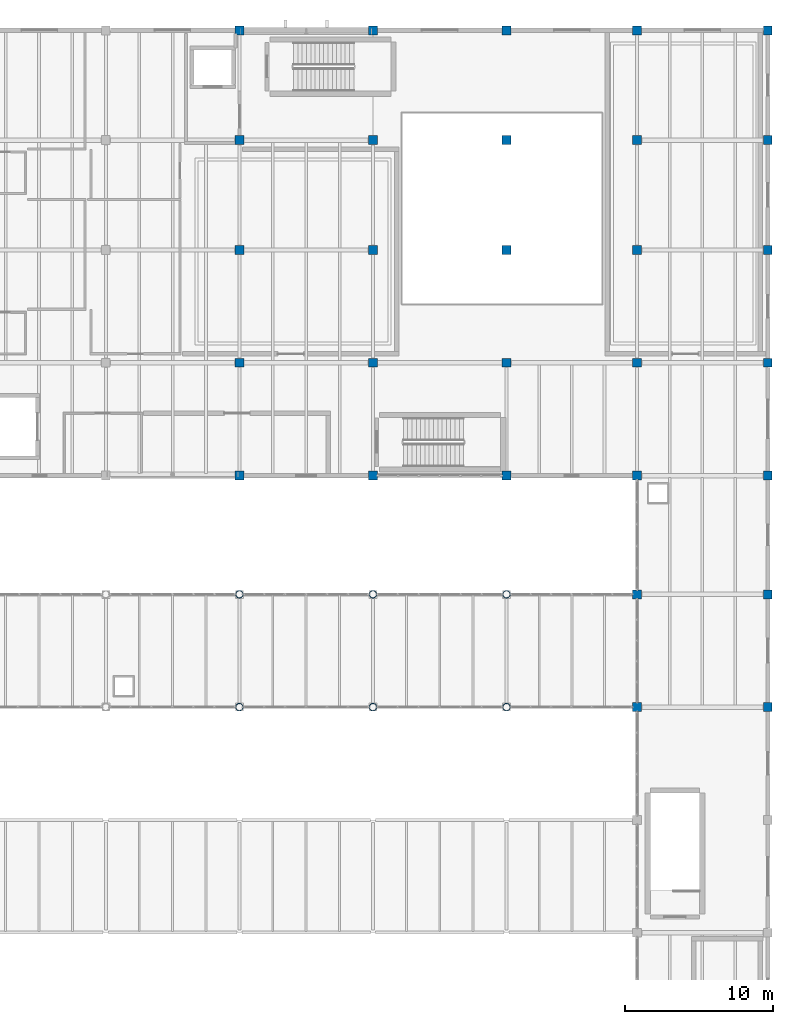
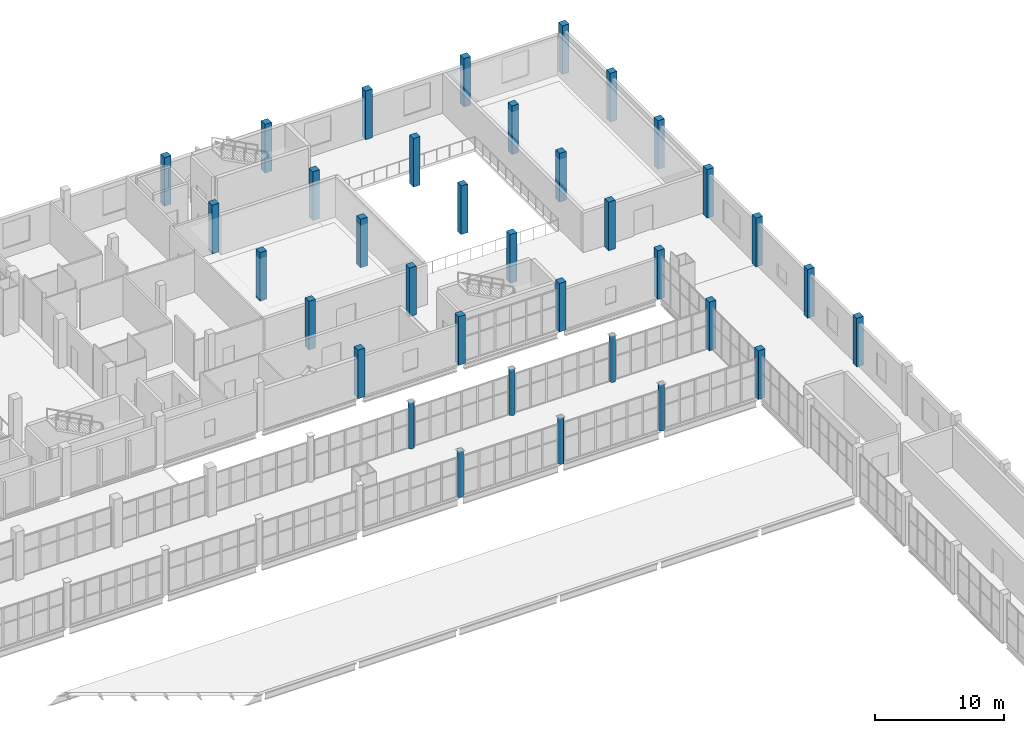
# One storey, part 7 of 136: 35 columns.
"""IFC4 building model written with IfcOpenShell, lengths in metres."""

import ifcopenshell
import ifcopenshell.guid

model = None  # the IFC model being written
_history = None  # IfcOwnerHistory: only IFC2X3 demands one
_inside = {}  # id of a spatial element -> (the spatial element, [elements in it])
_under = {}  # id of a project, library or spatial element -> (it, [spatial elements below it])
_declared = {}  # id of a project -> (the project, [libraries it declares])
_typed = {}  # id of a type object -> (the type object, [elements of that type])
_made_of = {}  # id of a material, layer set ... -> (it, [elements and type objects made of it])


def new_model(schema):
    """Start an empty IFC model of exactly this schema.

    Asked for "IFC4X3", IfcOpenShell would pick the latest addendum, in which some entities
    have other attributes; the version numbers below select the first issue.
    IFC2X3 requires an IfcOwnerHistory on every rooted entity: one is made here for all.
    """
    global model, _history
    if schema == "IFC4X3":
        model = ifcopenshell.file(schema_version=(4, 3, 0, 0))
    else:
        model = ifcopenshell.file(schema=schema)
    _inside.clear()
    _under.clear()
    _declared.clear()
    _typed.clear()
    _made_of.clear()
    _history = None
    if model.schema == "IFC2X3":
        org = make("IfcOrganization", Name="unknown")
        user = make(
            "IfcPersonAndOrganization",
            ThePerson=make("IfcPerson", FamilyName="unknown"),
            TheOrganization=org,
        )
        app = make(
            "IfcApplication",
            ApplicationDeveloper=org,
            Version="unknown",
            ApplicationFullName="unknown",
            ApplicationIdentifier="unknown",
        )
        _history = make(
            "IfcOwnerHistory",
            OwningUser=user,
            OwningApplication=app,
            ChangeAction="ADDED",
            CreationDate=0,
        )
    return model


def make(cls, **values):
    """One entity of the class cls with the attributes given. An attribute that is None is left unset."""
    return model.create_entity(
        cls, **{name: value for name, value in values.items() if value is not None}
    )


def rooted(cls, **values):
    """An entity with a GlobalId (a new one), such as an element, a storey or a relation."""
    return make(cls, GlobalId=ifcopenshell.guid.new(), OwnerHistory=_history, **values)


def si_unit(unit_type, name, prefix=None):
    """IfcSIUnit, for example si_unit("LENGTHUNIT", "METRE", prefix="MILLI")."""
    return make("IfcSIUnit", UnitType=unit_type, Prefix=prefix, Name=name)


def assignment(units):
    """IfcUnitAssignment: the units of a project."""
    return None if units is None else make("IfcUnitAssignment", Units=units)


def point(xyz):
    """IfcCartesianPoint."""
    return None if xyz is None else make("IfcCartesianPoint", Coordinates=xyz)


def direction(xyz):
    """IfcDirection."""
    return None if xyz is None else make("IfcDirection", DirectionRatios=xyz)


def frame(location, z_axis=None, x_axis=None):
    """IfcAxis2Placement3D, a coordinate frame: its origin and axes. An axis left out is left unset."""
    return make(
        "IfcAxis2Placement3D",
        Location=point(location),
        Axis=direction(z_axis),
        RefDirection=direction(x_axis),
    )


def frame_2d(location, x_axis=None):
    """IfcAxis2Placement2D, a coordinate frame in the plane: its origin and x axis."""
    return make(
        "IfcAxis2Placement2D", Location=point(location), RefDirection=direction(x_axis)
    )


def origin():
    """The frame at (0, 0, 0) with its axes left unset."""
    return frame((0.0, 0.0, 0.0))


def origin_2d():
    """The frame at (0, 0) in the plane with its x axis left unset."""
    return frame_2d((0.0, 0.0))


def place(relative_to, where):
    """IfcLocalPlacement: puts the frame where relative to a parent placement (None: the world)."""
    return make(
        "IfcLocalPlacement", PlacementRelTo=relative_to, RelativePlacement=where
    )


def context(
    kind, dimensions, precision=None, world=None, true_north=None, identifier=None
):
    """IfcGeometricRepresentationContext, for example the 3D "Model" context."""
    return make(
        "IfcGeometricRepresentationContext",
        ContextIdentifier=identifier,
        ContextType=kind,
        CoordinateSpaceDimension=dimensions,
        Precision=precision,
        WorldCoordinateSystem=world,
        TrueNorth=true_north,
    )


def subcontext(parent, identifier, kind, view, scale=None):
    """IfcGeometricRepresentationSubContext, for example "Body" below "Model"."""
    return make(
        "IfcGeometricRepresentationSubContext",
        ContextIdentifier=identifier,
        ContextType=kind,
        ParentContext=parent,
        TargetScale=scale,
        TargetView=view,
    )


def project(units=None, contexts=None):
    """IfcProject with its units and contexts."""
    return rooted(
        "IfcProject",
        Name="project",
        RepresentationContexts=contexts,
        UnitsInContext=assignment(units),
    )


def spatial(cls, under=None, at=None, **own):
    """A site, building, storey or space (cls), placed at a placement, below another one or the project."""
    s = rooted(cls, ObjectPlacement=at, **own)
    if under is not None:
        _under.setdefault(under.id(), (under, []))[1].append(s)
    return s


def profile(cls, at=None, kind="AREA", **sizes):
    """A parametric profile (cls). Its sizes go by their IFC names, for example OverallWidth=200.0."""
    return make(cls, ProfileType=kind, Position=at, **sizes)


def rectangle(**sizes):
    """IfcRectangleProfileDef."""
    return profile("IfcRectangleProfileDef", **sizes)


def hollow_circle(**sizes):
    """IfcCircleHollowProfileDef."""
    return profile("IfcCircleHollowProfileDef", **sizes)


def extrude(swept, where, along, depth):
    """IfcExtrudedAreaSolid: the profile swept, set in the frame where, extruded along a direction by depth."""
    return make(
        "IfcExtrudedAreaSolid",
        SweptArea=swept,
        Position=where,
        ExtrudedDirection=direction(along),
        Depth=depth,
    )


def shape(context_of_items, identifier, shape_type, items):
    """IfcShapeRepresentation: the items that make up one representation, for example the "Body"."""
    return make(
        "IfcShapeRepresentation",
        ContextOfItems=context_of_items,
        RepresentationIdentifier=identifier,
        RepresentationType=shape_type,
        Items=items,
    )


def material(Name=None, Category=None):
    """IfcMaterial."""
    return make("IfcMaterial", Name=Name, Category=Category)


def material_profile(
    of_material, cross_section, Name=None, Category=None, Priority=None
):
    """IfcMaterialProfile: a cross section and its material."""
    return make(
        "IfcMaterialProfile",
        Name=Name,
        Material=of_material,
        Profile=cross_section,
        Priority=Priority,
        Category=Category,
    )


def profile_set(profiles, Name=None, composite=None):
    """IfcMaterialProfileSet."""
    return make(
        "IfcMaterialProfileSet",
        Name=Name,
        MaterialProfiles=profiles,
        CompositeProfile=composite,
    )


def made_of(thing, what):
    """Note that an element or type object is made of a material, layer set ...; save() writes the relation."""
    if what is not None:
        _made_of.setdefault(what.id(), (what, []))[1].append(thing)
    return thing


def type_object(cls, material=None, **own):
    """A type object (cls), such as IfcWallType, which elements share."""
    return made_of(rooted(cls, **own), material)


def element(
    cls,
    number,
    at=None,
    inside=None,
    cuts=None,
    type_object=None,
    material=None,
    context=None,
    identifier="Body",
    shape_type=None,
    held_by="IfcProductDefinitionShape",
    body=None,
    shapes=None,
    **own,
):
    """One element of the class cls, such as IfcWall. Its Tag is "e" and its number.

    at: its placement. inside: the storey or other place that contains it. cuts: it is an
    opening in that element (IfcRelVoidsElement). A single representation is given by context,
    identifier, shape_type and body (its items); several are given by shapes. held_by: the class
    of the entity that holds the representations. save() writes the other relations.
    """
    e = rooted(cls, Tag="e%d" % number, ObjectPlacement=at, **own)
    if body is not None:
        shapes = [shape(context, identifier, shape_type, body)]
    if shapes is not None:
        e.Representation = make(held_by, Representations=shapes)
    if inside is not None:
        _inside.setdefault(inside.id(), (inside, []))[1].append(e)
    if cuts is not None:
        rooted(
            "IfcRelVoidsElement", RelatingBuildingElement=cuts, RelatedOpeningElement=e
        )
    if type_object is not None:
        _typed.setdefault(type_object.id(), (type_object, []))[1].append(e)
    return made_of(e, material)


def aggregate(whole, parts):
    """IfcRelAggregates: a whole, such as a stair, and the parts it consists of."""
    return rooted("IfcRelAggregates", RelatingObject=whole, RelatedObjects=parts)


def save(model, path):
    """Write the relations noted so far, then the file.

    IfcRelAggregates (storeys below a building ...), IfcRelContainedInSpatialStructure (elements
    in a storey), IfcRelDefinesByType, IfcRelAssociatesMaterial and IfcRelDeclares: one each for
    every whole, place, type object, material and project.
    """
    for whole, parts in _under.values():
        aggregate(whole, parts)
    for where, things in _inside.values():
        rooted(
            "IfcRelContainedInSpatialStructure",
            RelatedElements=things,
            RelatingStructure=where,
        )
    for kind, things in _typed.values():
        rooted("IfcRelDefinesByType", RelatedObjects=things, RelatingType=kind)
    for what, things in _made_of.values():
        rooted("IfcRelAssociatesMaterial", RelatedObjects=things, RelatingMaterial=what)
    for by, libraries in _declared.values():
        rooted("IfcRelDeclares", RelatingContext=by, RelatedDefinitions=libraries)
    model.write(path)


model = new_model("IFC4")

# Units and contexts
model_context = context("Model", 3, precision=1e-05, world=origin(), true_north=direction((0.0, 1.0)))
body_context = subcontext(model_context, "Body", "Model", "MODEL_VIEW")
ifc_project = project(units=[si_unit("LENGTHUNIT", "METRE"), si_unit("AREAUNIT", "SQUARE_METRE"), si_unit("VOLUMEUNIT", "CUBIC_METRE"), si_unit("PLANEANGLEUNIT", "RADIAN"), si_unit("MASSUNIT", "GRAM", prefix="KILO")], contexts=[model_context])

# Site, building, storey
site_placement = place(None, origin())
site = spatial("IfcSite", under=ifc_project, at=site_placement, CompositionType="ELEMENT")
building_placement = place(site_placement, origin())
building = spatial("IfcBuilding", under=site, at=building_placement, Name="Shengluoqiao Park Theatre", CompositionType="ELEMENT")
storey_placement = place(building_placement, frame((0.0, 0.0, 10.0)))
storey = spatial("IfcBuildingStorey", under=building, at=storey_placement, Name="L02", CompositionType="ELEMENT", Elevation=10.0)

# Columns
ifc_material_1 = material(Name="Steel Q390", Category="steel")
ifc_material_profile_1 = material_profile(ifc_material_1, hollow_circle(Radius=0.25390625, WallThickness=0.02001953125, at=origin_2d()), Name="CHS 508x20")
ifc_profile_set_1 = profile_set([ifc_material_profile_1], Name="Steel Q390")
column_type_1 = type_object("IfcColumnType", Name="STR-COL-C-CHS508", PredefinedType="COLUMN", material=ifc_profile_set_1)
for number, where, z_axis, x_axis, name in (
    (1, (130.39990234375, 68.39990234375, 0.0), (0.0, 0.0, 1.0), (1.0, 0.0, 0.0), "L02 Column 0631"),
    (2, (130.39990234375, 76.0, 0.0), (0.0, 0.0, 1.0), (1.0, 0.0, 0.0), "L02 Column 0634"),
    (3, (139.39990234375, 68.39990234375, 0.0), (0.0, 0.0, 1.0), (1.0, 0.0, 0.0), "L02 Column 0676"),
    (4, (139.39990234375, 76.0, 0.0), (0.0, 0.0, 1.0), (1.0, 0.0, 0.0), "L02 Column 0679"),
    (5, (148.39990234375, 68.39990234375, 0.0), (0.0, 0.0, 1.0), (1.0, 0.0, 0.0), "L02 Column 0733"),
    (6, (148.39990234375, 76.0, 0.0), (0.0, 0.0, 1.0), (1.0, 0.0, 0.0), "L02 Column 0736"),
):
    element("IfcColumn", number, at=place(storey_placement, frame(where, z_axis=z_axis, x_axis=x_axis)), inside=storey, type_object=column_type_1, Name=name, PredefinedType="COLUMN", context=body_context, shape_type="SweptSolid", body=[
        extrude(hollow_circle(Radius=0.25390625, WallThickness=0.02001953125, at=origin_2d()), origin(), (0.0, 0.0, 1.0), 4.35009765625),
    ])
ifc_material_2 = material(Name="Concrete C40", Category="concrete")
ifc_material_profile_2 = material_profile(ifc_material_2, rectangle(XDim=0.60009765625, YDim=0.60009765625, at=origin_2d()), Name="RC 600x600")
ifc_profile_set_2 = profile_set([ifc_material_profile_2], Name="Concrete C40")
column_type_2 = type_object("IfcColumnType", Name="STR-COL-C-RC600", PredefinedType="COLUMN", material=ifc_profile_set_2)
for number, where, z_axis, x_axis, name in (
    (7, (130.39990234375, 84.0, 0.0), (0.0, 0.0, 1.0), (1.0, 0.0, 0.0), "L02 Column 0638"),
    (8, (130.39990234375, 91.60009765625, 0.0), (0.0, 0.0, 1.0), (1.0, 0.0, 0.0), "L02 Column 0645"),
    (9, (130.39990234375, 99.199951171875, 0.0), (0.0, 0.0, 1.0), (1.0, 0.0, 0.0), "L02 Column 0652"),
    (10, (130.39990234375, 106.60009765625, 0.0), (0.0, 0.0, 1.0), (1.0, 0.0, 0.0), "L02 Column 0659"),
    (11, (130.39990234375, 114.0, 0.0), (0.0, 0.0, 1.0), (1.0, 0.0, 0.0), "L02 Column 0666"),
    (12, (139.39990234375, 84.0, 0.0), (0.0, 0.0, 1.0), (1.0, 0.0, 0.0), "L02 Column 0683"),
    (13, (139.39990234375, 91.60009765625, 0.0), (0.0, 0.0, 1.0), (1.0, 0.0, 0.0), "L02 Column 0690"),
    (14, (139.39990234375, 99.199951171875, 0.0), (0.0, 0.0, 1.0), (1.0, 0.0, 0.0), "L02 Column 0697"),
    (15, (139.39990234375, 106.60009765625, 0.0), (0.0, 0.0, 1.0), (1.0, 0.0, 0.0), "L02 Column 0704"),
    (16, (139.39990234375, 114.0, 0.0), (0.0, 0.0, 1.0), (1.0, 0.0, 0.0), "L02 Column 0711"),
    (17, (148.39990234375, 84.0, 0.0), (0.0, 0.0, 1.0), (1.0, 0.0, 0.0), "L02 Column 0740"),
    (18, (148.39990234375, 91.60009765625, 0.0), (0.0, 0.0, 1.0), (1.0, 0.0, 0.0), "L02 Column 0747"),
    (19, (148.39990234375, 99.199951171875, 0.0), (0.0, 0.0, 1.0), (1.0, 0.0, 0.0), "L02 Column 0754"),
    (20, (148.39990234375, 106.60009765625, 0.0), (0.0, 0.0, 1.0), (1.0, 0.0, 0.0), "L02 Column 0761"),
    (21, (148.39990234375, 114.0, 0.0), (0.0, 0.0, 1.0), (1.0, 0.0, 0.0), "L02 Column 0768"),
    (22, (157.199951171875, 68.39990234375, 0.0), (0.0, 0.0, 1.0), (1.0, 0.0, 0.0), "L02 Column 0798"),
    (23, (157.199951171875, 76.0, 0.0), (0.0, 0.0, 1.0), (1.0, 0.0, 0.0), "L02 Column 0801"),
    (24, (157.199951171875, 84.0, 0.0), (0.0, 0.0, 1.0), (1.0, 0.0, 0.0), "L02 Column 0805"),
    (25, (157.199951171875, 91.60009765625, 0.0), (0.0, 0.0, 1.0), (1.0, 0.0, 0.0), "L02 Column 0811"),
    (26, (157.199951171875, 99.199951171875, 0.0), (0.0, 0.0, 1.0), (1.0, 0.0, 0.0), "L02 Column 0817"),
    (27, (157.199951171875, 106.60009765625, 0.0), (0.0, 0.0, 1.0), (1.0, 0.0, 0.0), "L02 Column 0823"),
    (28, (157.199951171875, 114.0, 0.0), (0.0, 0.0, 1.0), (1.0, 0.0, 0.0), "L02 Column 0829"),
    (29, (166.0, 68.39990234375, 0.0), (0.0, 0.0, 1.0), (1.0, 0.0, 0.0), "L02 Column 0861"),
    (30, (166.0, 76.0, 0.0), (0.0, 0.0, 1.0), (1.0, 0.0, 0.0), "L02 Column 0864"),
    (31, (166.0, 84.0, 0.0), (0.0, 0.0, 1.0), (1.0, 0.0, 0.0), "L02 Column 0867"),
    (32, (166.0, 91.60009765625, 0.0), (0.0, 0.0, 1.0), (1.0, 0.0, 0.0), "L02 Column 0871"),
    (33, (166.0, 99.199951171875, 0.0), (0.0, 0.0, 1.0), (1.0, 0.0, 0.0), "L02 Column 0875"),
    (34, (166.0, 106.60009765625, 0.0), (0.0, 0.0, 1.0), (1.0, 0.0, 0.0), "L02 Column 0879"),
    (35, (166.0, 114.0, 0.0), (0.0, 0.0, 1.0), (1.0, 0.0, 0.0), "L02 Column 0883"),
):
    element("IfcColumn", number, at=place(storey_placement, frame(where, z_axis=z_axis, x_axis=x_axis)), inside=storey, type_object=column_type_2, Name=name, PredefinedType="COLUMN", context=body_context, shape_type="SweptSolid", body=[
        extrude(rectangle(XDim=0.60009765625, YDim=0.60009765625, at=origin_2d()), origin(), (0.0, 0.0, 1.0), 4.60009765625),
    ])

save(model, "model.ifc")
